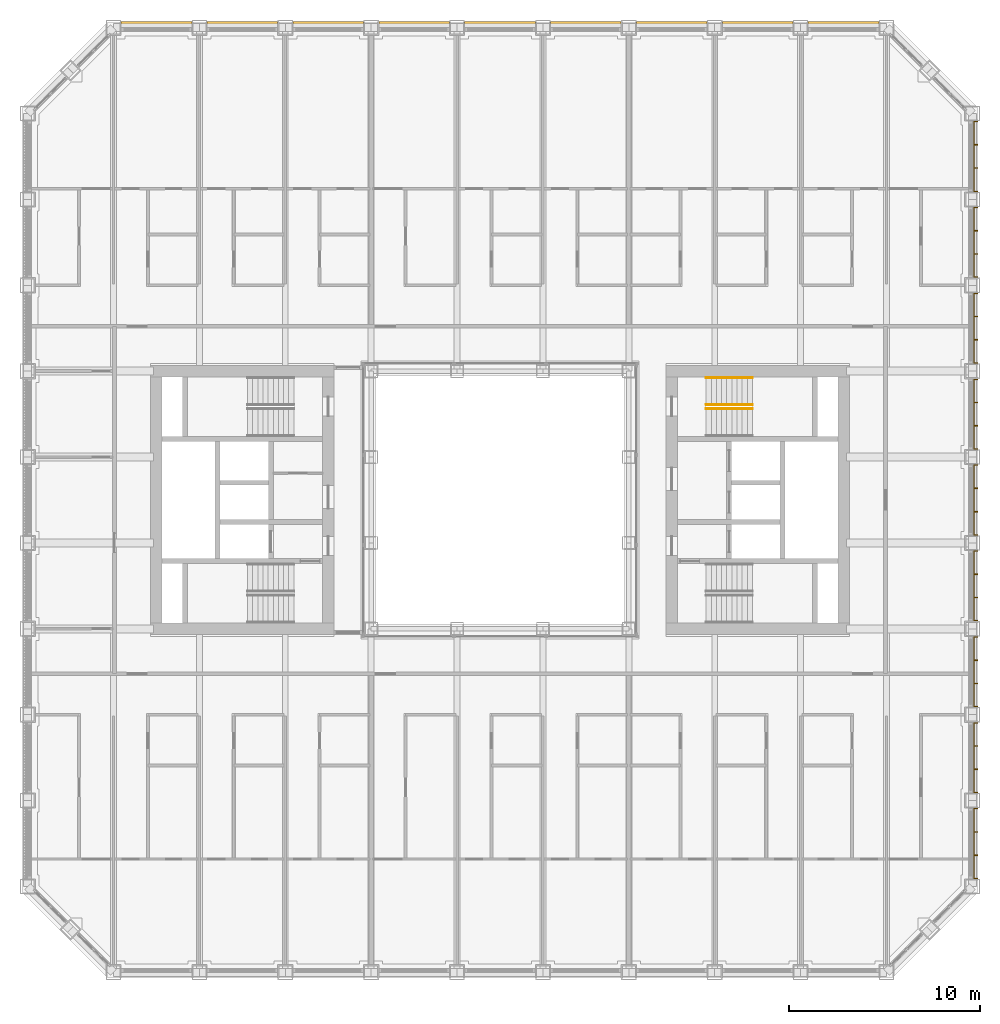
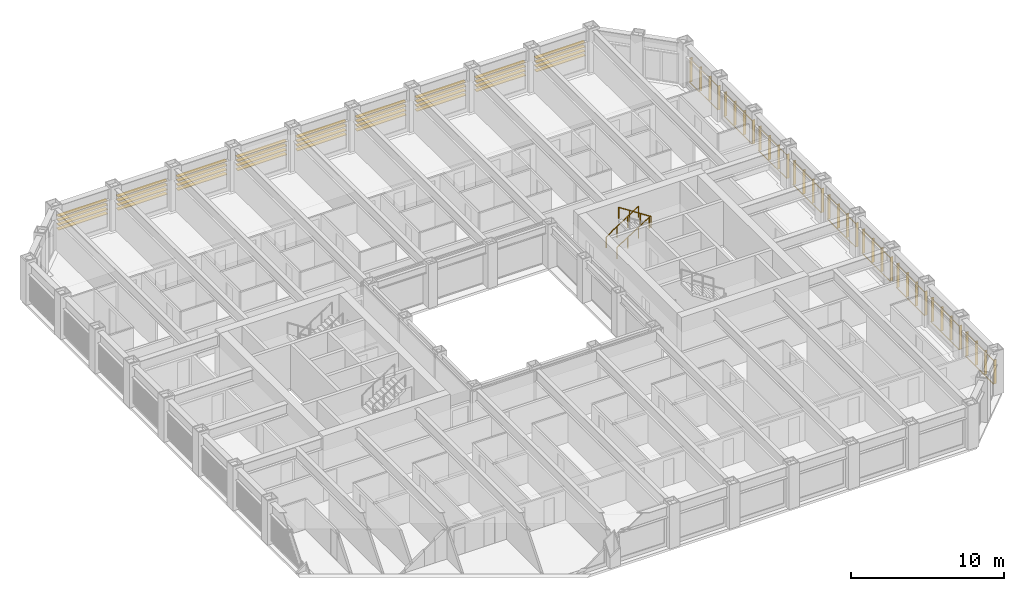
# One storey, part 21 of 21: 3 railings, 2 shading devices.
"""IFC4 building model written with IfcOpenShell, lengths in metres."""

from ifc_helpers import new_model, si_unit, direction, frame, origin, origin_2d, place, context, subcontext, project, spatial, rectangle, circle, extrude, material, type_object, element, save


model = new_model("IFC4")

# Units and contexts
model_context = context("Model", 3, precision=1e-05, world=origin(), true_north=direction((0.0, 1.0)))
body_context = subcontext(model_context, "Body", "Model", "MODEL_VIEW")
ifc_project = project(units=[si_unit("LENGTHUNIT", "METRE"), si_unit("AREAUNIT", "SQUARE_METRE"), si_unit("VOLUMEUNIT", "CUBIC_METRE"), si_unit("PLANEANGLEUNIT", "RADIAN"), si_unit("MASSUNIT", "GRAM", prefix="KILO")], contexts=[model_context])

# Site, building, storey
site_placement = place(None, origin())
site = spatial("IfcSite", under=ifc_project, at=site_placement, CompositionType="ELEMENT")
building_placement = place(site_placement, origin())
building = spatial("IfcBuilding", under=site, at=building_placement, Name="Msasa Ring Tower", CompositionType="ELEMENT")
storey_placement = place(building_placement, frame((0.0, 0.0, 96.5)))
storey = spatial("IfcBuildingStorey", under=building, at=storey_placement, Name="L25", CompositionType="ELEMENT", Elevation=96.5)

# Shading device
ifc_material_1 = material(Name="Extruded terracotta on aluminium carriers", Category="masonry")
shading_device_type_1 = type_object("IfcShadingDeviceType", Name="BS2 TERRACOTTA FIN SCREEN 40x200 AT 1350", PredefinedType="USERDEFINED", material=ifc_material_1)
shading_device_1_placement = place(storey_placement, origin())
element("IfcShadingDevice", 1, at=shading_device_1_placement, inside=storey, type_object=shading_device_type_1, Name="Terracotta fin screen E L25", ObjectType="BAGUETTE", PredefinedType="USERDEFINED", context=body_context, shape_type="SweptSolid", body=[
    extrude(rectangle(XDim=0.06005859375, YDim=0.0400390625, at=origin_2d()), frame((24.830078125, -19.85009765625, 0.330078125), z_axis=(0.0, 1.0, 0.0), x_axis=(0.0, 0.0, 1.0)), (0.0, 0.0, 1.0), 3.699951171875),
    extrude(rectangle(XDim=0.06005859375, YDim=0.0400390625, at=origin_2d()), frame((24.830078125, -19.85009765625, 2.198974609375), z_axis=(0.0, 1.0, 0.0), x_axis=(0.0, 0.0, 1.0)), (0.0, 0.0, 1.0), 3.699951171875),
    extrude(rectangle(XDim=0.0400390625, YDim=0.199951171875, at=origin_2d()), frame((24.945068359375, -19.830078125, 0.300048828125), z_axis=(0.0, 0.0, 1.0), x_axis=(0.0, 1.0, 0.0)), (0.0, 0.0, 1.0), 1.928955078125),
    extrude(rectangle(XDim=0.0400390625, YDim=0.199951171875, at=origin_2d()), frame((24.945068359375, -18.610107421875, 0.300048828125), z_axis=(0.0, 0.0, 1.0), x_axis=(0.0, 1.0, 0.0)), (0.0, 0.0, 1.0), 1.928955078125),
    extrude(rectangle(XDim=0.0400390625, YDim=0.199951171875, at=origin_2d()), frame((24.945068359375, -17.389892578125, 0.300048828125), z_axis=(0.0, 0.0, 1.0), x_axis=(0.0, 1.0, 0.0)), (0.0, 0.0, 1.0), 1.928955078125),
    extrude(rectangle(XDim=0.0400390625, YDim=0.199951171875, at=origin_2d()), frame((24.945068359375, -16.169921875, 0.300048828125), z_axis=(0.0, 0.0, 1.0), x_axis=(0.0, 1.0, 0.0)), (0.0, 0.0, 1.0), 1.928955078125),
    extrude(rectangle(XDim=0.06005859375, YDim=0.0400390625, at=origin_2d()), frame((24.830078125, -15.35009765625, 0.330078125), z_axis=(0.0, 1.0, 0.0), x_axis=(0.0, 0.0, 1.0)), (0.0, 0.0, 1.0), 3.699951171875),
    extrude(rectangle(XDim=0.06005859375, YDim=0.0400390625, at=origin_2d()), frame((24.830078125, -15.35009765625, 2.198974609375), z_axis=(0.0, 1.0, 0.0), x_axis=(0.0, 0.0, 1.0)), (0.0, 0.0, 1.0), 3.699951171875),
    extrude(rectangle(XDim=0.0400390625, YDim=0.199951171875, at=origin_2d()), frame((24.945068359375, -15.330078125, 0.300048828125), z_axis=(0.0, 0.0, 1.0), x_axis=(0.0, 1.0, 0.0)), (0.0, 0.0, 1.0), 1.928955078125),
    extrude(rectangle(XDim=0.0400390625, YDim=0.199951171875, at=origin_2d()), frame((24.945068359375, -14.110107421875, 0.300048828125), z_axis=(0.0, 0.0, 1.0), x_axis=(0.0, 1.0, 0.0)), (0.0, 0.0, 1.0), 1.928955078125),
    extrude(rectangle(XDim=0.0400390625, YDim=0.199951171875, at=origin_2d()), frame((24.945068359375, -12.889892578125, 0.300048828125), z_axis=(0.0, 0.0, 1.0), x_axis=(0.0, 1.0, 0.0)), (0.0, 0.0, 1.0), 1.928955078125),
    extrude(rectangle(XDim=0.0400390625, YDim=0.199951171875, at=origin_2d()), frame((24.945068359375, -11.669921875, 0.300048828125), z_axis=(0.0, 0.0, 1.0), x_axis=(0.0, 1.0, 0.0)), (0.0, 0.0, 1.0), 1.928955078125),
    extrude(rectangle(XDim=0.06005859375, YDim=0.0400390625, at=origin_2d()), frame((24.830078125, -10.85009765625, 0.330078125), z_axis=(0.0, 1.0, 0.0), x_axis=(0.0, 0.0, 1.0)), (0.0, 0.0, 1.0), 3.699951171875),
    extrude(rectangle(XDim=0.06005859375, YDim=0.0400390625, at=origin_2d()), frame((24.830078125, -10.85009765625, 2.198974609375), z_axis=(0.0, 1.0, 0.0), x_axis=(0.0, 0.0, 1.0)), (0.0, 0.0, 1.0), 3.699951171875),
    extrude(rectangle(XDim=0.0400390625, YDim=0.199951171875, at=origin_2d()), frame((24.945068359375, -10.830078125, 0.300048828125), z_axis=(0.0, 0.0, 1.0), x_axis=(0.0, 1.0, 0.0)), (0.0, 0.0, 1.0), 1.928955078125),
    extrude(rectangle(XDim=0.0400390625, YDim=0.199951171875, at=origin_2d()), frame((24.945068359375, -9.610107421875, 0.300048828125), z_axis=(0.0, 0.0, 1.0), x_axis=(0.0, 1.0, 0.0)), (0.0, 0.0, 1.0), 1.928955078125),
    extrude(rectangle(XDim=0.0400390625, YDim=0.199951171875, at=origin_2d()), frame((24.945068359375, -8.389892578125, 0.300048828125), z_axis=(0.0, 0.0, 1.0), x_axis=(0.0, 1.0, 0.0)), (0.0, 0.0, 1.0), 1.928955078125),
    extrude(rectangle(XDim=0.0400390625, YDim=0.199951171875, at=origin_2d()), frame((24.945068359375, -7.169921875, 0.300048828125), z_axis=(0.0, 0.0, 1.0), x_axis=(0.0, 1.0, 0.0)), (0.0, 0.0, 1.0), 1.928955078125),
    extrude(rectangle(XDim=0.06005859375, YDim=0.0400390625, at=origin_2d()), frame((24.830078125, -6.35009765625, 0.330078125), z_axis=(0.0, 1.0, 0.0), x_axis=(0.0, 0.0, 1.0)), (0.0, 0.0, 1.0), 3.699951171875),
    extrude(rectangle(XDim=0.06005859375, YDim=0.0400390625, at=origin_2d()), frame((24.830078125, -6.35009765625, 2.198974609375), z_axis=(0.0, 1.0, 0.0), x_axis=(0.0, 0.0, 1.0)), (0.0, 0.0, 1.0), 3.699951171875),
    extrude(rectangle(XDim=0.0400390625, YDim=0.199951171875, at=origin_2d()), frame((24.945068359375, -6.330078125, 0.300048828125), z_axis=(0.0, 0.0, 1.0), x_axis=(0.0, 1.0, 0.0)), (0.0, 0.0, 1.0), 1.928955078125),
    extrude(rectangle(XDim=0.0400390625, YDim=0.199951171875, at=origin_2d()), frame((24.945068359375, -5.110107421875, 0.300048828125), z_axis=(0.0, 0.0, 1.0), x_axis=(0.0, 1.0, 0.0)), (0.0, 0.0, 1.0), 1.928955078125),
    extrude(rectangle(XDim=0.0400390625, YDim=0.199951171875, at=origin_2d()), frame((24.945068359375, -3.889892578125, 0.300048828125), z_axis=(0.0, 0.0, 1.0), x_axis=(0.0, 1.0, 0.0)), (0.0, 0.0, 1.0), 1.928955078125),
    extrude(rectangle(XDim=0.0400390625, YDim=0.199951171875, at=origin_2d()), frame((24.945068359375, -2.669921875, 0.300048828125), z_axis=(0.0, 0.0, 1.0), x_axis=(0.0, 1.0, 0.0)), (0.0, 0.0, 1.0), 1.928955078125),
    extrude(rectangle(XDim=0.06005859375, YDim=0.0400390625, at=origin_2d()), frame((24.830078125, -1.85009765625, 0.330078125), z_axis=(0.0, 1.0, 0.0), x_axis=(0.0, 0.0, 1.0)), (0.0, 0.0, 1.0), 3.699951171875),
    extrude(rectangle(XDim=0.06005859375, YDim=0.0400390625, at=origin_2d()), frame((24.830078125, -1.85009765625, 2.198974609375), z_axis=(0.0, 1.0, 0.0), x_axis=(0.0, 0.0, 1.0)), (0.0, 0.0, 1.0), 3.699951171875),
    extrude(rectangle(XDim=0.0400390625, YDim=0.199951171875, at=origin_2d()), frame((24.945068359375, -1.830078125, 0.300048828125), z_axis=(0.0, 0.0, 1.0), x_axis=(0.0, 1.0, 0.0)), (0.0, 0.0, 1.0), 1.928955078125),
    extrude(rectangle(XDim=0.0400390625, YDim=0.199951171875, at=origin_2d()), frame((24.945068359375, -0.610107421875, 0.300048828125), z_axis=(0.0, 0.0, 1.0), x_axis=(0.0, 1.0, 0.0)), (0.0, 0.0, 1.0), 1.928955078125),
    extrude(rectangle(XDim=0.0400390625, YDim=0.199951171875, at=origin_2d()), frame((24.945068359375, 0.610107421875, 0.300048828125), z_axis=(0.0, 0.0, 1.0), x_axis=(0.0, 1.0, 0.0)), (0.0, 0.0, 1.0), 1.928955078125),
    extrude(rectangle(XDim=0.0400390625, YDim=0.199951171875, at=origin_2d()), frame((24.945068359375, 1.830078125, 0.300048828125), z_axis=(0.0, 0.0, 1.0), x_axis=(0.0, 1.0, 0.0)), (0.0, 0.0, 1.0), 1.928955078125),
    extrude(rectangle(XDim=0.06005859375, YDim=0.0400390625, at=origin_2d()), frame((24.830078125, 2.64990234375, 0.330078125), z_axis=(0.0, 1.0, 0.0), x_axis=(0.0, 0.0, 1.0)), (0.0, 0.0, 1.0), 3.699951171875),
    extrude(rectangle(XDim=0.06005859375, YDim=0.0400390625, at=origin_2d()), frame((24.830078125, 2.64990234375, 2.198974609375), z_axis=(0.0, 1.0, 0.0), x_axis=(0.0, 0.0, 1.0)), (0.0, 0.0, 1.0), 3.699951171875),
    extrude(rectangle(XDim=0.0400390625, YDim=0.199951171875, at=origin_2d()), frame((24.945068359375, 2.669921875, 0.300048828125), z_axis=(0.0, 0.0, 1.0), x_axis=(0.0, 1.0, 0.0)), (0.0, 0.0, 1.0), 1.928955078125),
    extrude(rectangle(XDim=0.0400390625, YDim=0.199951171875, at=origin_2d()), frame((24.945068359375, 3.889892578125, 0.300048828125), z_axis=(0.0, 0.0, 1.0), x_axis=(0.0, 1.0, 0.0)), (0.0, 0.0, 1.0), 1.928955078125),
    extrude(rectangle(XDim=0.0400390625, YDim=0.199951171875, at=origin_2d()), frame((24.945068359375, 5.110107421875, 0.300048828125), z_axis=(0.0, 0.0, 1.0), x_axis=(0.0, 1.0, 0.0)), (0.0, 0.0, 1.0), 1.928955078125),
    extrude(rectangle(XDim=0.0400390625, YDim=0.199951171875, at=origin_2d()), frame((24.945068359375, 6.330078125, 0.300048828125), z_axis=(0.0, 0.0, 1.0), x_axis=(0.0, 1.0, 0.0)), (0.0, 0.0, 1.0), 1.928955078125),
    extrude(rectangle(XDim=0.06005859375, YDim=0.0400390625, at=origin_2d()), frame((24.830078125, 7.14990234375, 0.330078125), z_axis=(0.0, 1.0, 0.0), x_axis=(0.0, 0.0, 1.0)), (0.0, 0.0, 1.0), 3.699951171875),
    extrude(rectangle(XDim=0.06005859375, YDim=0.0400390625, at=origin_2d()), frame((24.830078125, 7.14990234375, 2.198974609375), z_axis=(0.0, 1.0, 0.0), x_axis=(0.0, 0.0, 1.0)), (0.0, 0.0, 1.0), 3.699951171875),
    extrude(rectangle(XDim=0.0400390625, YDim=0.199951171875, at=origin_2d()), frame((24.945068359375, 7.169921875, 0.300048828125), z_axis=(0.0, 0.0, 1.0), x_axis=(0.0, 1.0, 0.0)), (0.0, 0.0, 1.0), 1.928955078125),
    extrude(rectangle(XDim=0.0400390625, YDim=0.199951171875, at=origin_2d()), frame((24.945068359375, 8.389892578125, 0.300048828125), z_axis=(0.0, 0.0, 1.0), x_axis=(0.0, 1.0, 0.0)), (0.0, 0.0, 1.0), 1.928955078125),
    extrude(rectangle(XDim=0.0400390625, YDim=0.199951171875, at=origin_2d()), frame((24.945068359375, 9.610107421875, 0.300048828125), z_axis=(0.0, 0.0, 1.0), x_axis=(0.0, 1.0, 0.0)), (0.0, 0.0, 1.0), 1.928955078125),
    extrude(rectangle(XDim=0.0400390625, YDim=0.199951171875, at=origin_2d()), frame((24.945068359375, 10.830078125, 0.300048828125), z_axis=(0.0, 0.0, 1.0), x_axis=(0.0, 1.0, 0.0)), (0.0, 0.0, 1.0), 1.928955078125),
    extrude(rectangle(XDim=0.06005859375, YDim=0.0400390625, at=origin_2d()), frame((24.830078125, 11.64990234375, 0.330078125), z_axis=(0.0, 1.0, 0.0), x_axis=(0.0, 0.0, 1.0)), (0.0, 0.0, 1.0), 3.699951171875),
    extrude(rectangle(XDim=0.06005859375, YDim=0.0400390625, at=origin_2d()), frame((24.830078125, 11.64990234375, 2.198974609375), z_axis=(0.0, 1.0, 0.0), x_axis=(0.0, 0.0, 1.0)), (0.0, 0.0, 1.0), 3.699951171875),
    extrude(rectangle(XDim=0.0400390625, YDim=0.199951171875, at=origin_2d()), frame((24.945068359375, 11.669921875, 0.300048828125), z_axis=(0.0, 0.0, 1.0), x_axis=(0.0, 1.0, 0.0)), (0.0, 0.0, 1.0), 1.928955078125),
    extrude(rectangle(XDim=0.0400390625, YDim=0.199951171875, at=origin_2d()), frame((24.945068359375, 12.889892578125, 0.300048828125), z_axis=(0.0, 0.0, 1.0), x_axis=(0.0, 1.0, 0.0)), (0.0, 0.0, 1.0), 1.928955078125),
    extrude(rectangle(XDim=0.0400390625, YDim=0.199951171875, at=origin_2d()), frame((24.945068359375, 14.110107421875, 0.300048828125), z_axis=(0.0, 0.0, 1.0), x_axis=(0.0, 1.0, 0.0)), (0.0, 0.0, 1.0), 1.928955078125),
    extrude(rectangle(XDim=0.0400390625, YDim=0.199951171875, at=origin_2d()), frame((24.945068359375, 15.330078125, 0.300048828125), z_axis=(0.0, 0.0, 1.0), x_axis=(0.0, 1.0, 0.0)), (0.0, 0.0, 1.0), 1.928955078125),
    extrude(rectangle(XDim=0.06005859375, YDim=0.0400390625, at=origin_2d()), frame((24.830078125, 16.14990234375, 0.330078125), z_axis=(0.0, 1.0, 0.0), x_axis=(0.0, 0.0, 1.0)), (0.0, 0.0, 1.0), 3.699951171875),
    extrude(rectangle(XDim=0.06005859375, YDim=0.0400390625, at=origin_2d()), frame((24.830078125, 16.14990234375, 2.198974609375), z_axis=(0.0, 1.0, 0.0), x_axis=(0.0, 0.0, 1.0)), (0.0, 0.0, 1.0), 3.699951171875),
    extrude(rectangle(XDim=0.0400390625, YDim=0.199951171875, at=origin_2d()), frame((24.945068359375, 16.169921875, 0.300048828125), z_axis=(0.0, 0.0, 1.0), x_axis=(0.0, 1.0, 0.0)), (0.0, 0.0, 1.0), 1.928955078125),
    extrude(rectangle(XDim=0.0400390625, YDim=0.199951171875, at=origin_2d()), frame((24.945068359375, 17.389892578125, 0.300048828125), z_axis=(0.0, 0.0, 1.0), x_axis=(0.0, 1.0, 0.0)), (0.0, 0.0, 1.0), 1.928955078125),
    extrude(rectangle(XDim=0.0400390625, YDim=0.199951171875, at=origin_2d()), frame((24.945068359375, 18.610107421875, 0.300048828125), z_axis=(0.0, 0.0, 1.0), x_axis=(0.0, 1.0, 0.0)), (0.0, 0.0, 1.0), 1.928955078125),
    extrude(rectangle(XDim=0.0400390625, YDim=0.199951171875, at=origin_2d()), frame((24.945068359375, 19.830078125, 0.300048828125), z_axis=(0.0, 0.0, 1.0), x_axis=(0.0, 1.0, 0.0)), (0.0, 0.0, 1.0), 1.928955078125),
])

# Railings
ifc_material_2 = material(Name="Stainless steel", Category="steel")
railing_type = type_object("IfcRailingType", Name="HR1 HANDRAIL 900", PredefinedType="HANDRAIL", material=ifc_material_2)
for number, where, name in (
    (2, (10.800048828125, 5.0, 0.175048828125), "Handrail stair SEB L25 1"),
    (3, (10.800048828125, 6.39990234375, 0.175048828125), "Handrail stair SEB L25 2"),
):
    element("IfcRailing", number, at=place(storey_placement, frame(where)), inside=storey, type_object=railing_type, Name=name, PredefinedType="HANDRAIL", context=body_context, shape_type="SweptSolid", body=[
        extrude(circle(Radius=0.02392578125, at=origin_2d()), frame((0.0, 0.0, 0.8759765625), z_axis=(0.839153699163, 0.0, 0.543894354798), x_axis=(0.0, 1.0, 0.0)), (0.0, 0.0, 1.0), 2.895751953125),
        extrude(circle(Radius=0.02099609375, at=origin_2d()), origin(), (0.0, 0.0, 1.0), 0.851806640625),
        extrude(circle(Radius=0.02099609375, at=origin_2d()), frame((0.81005859375, 0.0, 0.52490234375)), (0.0, 0.0, 1.0), 0.851806640625),
        extrude(circle(Radius=0.02099609375, at=origin_2d()), frame((1.619873046875, 0.0, 1.050048828125)), (0.0, 0.0, 1.0), 0.851806640625),
        extrude(circle(Radius=0.02099609375, at=origin_2d()), frame((2.429931640625, 0.0, 1.574951171875)), (0.0, 0.0, 1.0), 0.851806640625),
    ])
railing_placement = place(storey_placement, frame((13.22998046875, 4.77490234375, 1.925048828125)))
element("IfcRailing", 4, at=railing_placement, inside=storey, type_object=railing_type, Name="Handrail stair SEB L25 4", PredefinedType="HANDRAIL", context=body_context, shape_type="SweptSolid", body=[
    extrude(circle(Radius=0.02392578125, at=origin_2d()), frame((0.0, 0.0, 0.8759765625), z_axis=(-0.839153699163, 0.0, 0.543894354798), x_axis=(0.0, -1.0, 0.0)), (0.0, 0.0, 1.0), 2.895751953125),
    extrude(circle(Radius=0.02099609375, at=origin_2d()), origin(), (0.0, 0.0, 1.0), 0.851806640625),
    extrude(circle(Radius=0.02099609375, at=origin_2d()), frame((-0.81005859375, 0.0, 0.52490234375)), (0.0, 0.0, 1.0), 0.851806640625),
    extrude(circle(Radius=0.02099609375, at=origin_2d()), frame((-1.619873046875, 0.0, 1.050048828125)), (0.0, 0.0, 1.0), 0.851806640625),
    extrude(circle(Radius=0.02099609375, at=origin_2d()), frame((-2.429931640625, 0.0, 1.574951171875)), (0.0, 0.0, 1.0), 0.851806640625),
])

# Shading device
ifc_material_3 = material(Name="Extruded terracotta blades", Category="masonry")
shading_device_type_2 = type_object("IfcShadingDeviceType", Name="SS1 TERRACOTTA SUNSHADE 4 BLADES 300x40 AT 350", PredefinedType="USERDEFINED", material=ifc_material_3)
shading_device_2_placement = place(storey_placement, origin())
element("IfcShadingDevice", 5, at=shading_device_2_placement, inside=storey, type_object=shading_device_type_2, Name="Terracotta sunshade N L25", ObjectType="SUNSHADE", PredefinedType="USERDEFINED", context=body_context, shape_type="SweptSolid", body=[
    extrude(rectangle(XDim=0.0400390625, YDim=0.300048828125, at=origin_2d()), frame((-19.85009765625, 24.929931640625, 2.208984375), z_axis=(1.0, 0.0, 0.0), x_axis=(0.0, 0.0, 1.0)), (0.0, 0.0, 1.0), 3.699951171875),
    extrude(rectangle(XDim=0.0400390625, YDim=0.300048828125, at=origin_2d()), frame((-19.85009765625, 24.929931640625, 1.85888671875), z_axis=(1.0, 0.0, 0.0), x_axis=(0.0, 0.0, 1.0)), (0.0, 0.0, 1.0), 3.699951171875),
    extrude(rectangle(XDim=0.0400390625, YDim=0.300048828125, at=origin_2d()), frame((-19.85009765625, 24.929931640625, 1.509033203125), z_axis=(1.0, 0.0, 0.0), x_axis=(0.0, 0.0, 1.0)), (0.0, 0.0, 1.0), 3.699951171875),
    extrude(rectangle(XDim=0.0400390625, YDim=0.300048828125, at=origin_2d()), frame((-19.85009765625, 24.929931640625, 1.158935546875), z_axis=(1.0, 0.0, 0.0), x_axis=(0.0, 0.0, 1.0)), (0.0, 0.0, 1.0), 3.699951171875),
    extrude(rectangle(XDim=0.0400390625, YDim=0.300048828125, at=origin_2d()), frame((-15.35009765625, 24.929931640625, 2.208984375), z_axis=(1.0, 0.0, 0.0), x_axis=(0.0, 0.0, 1.0)), (0.0, 0.0, 1.0), 3.699951171875),
    extrude(rectangle(XDim=0.0400390625, YDim=0.300048828125, at=origin_2d()), frame((-15.35009765625, 24.929931640625, 1.85888671875), z_axis=(1.0, 0.0, 0.0), x_axis=(0.0, 0.0, 1.0)), (0.0, 0.0, 1.0), 3.699951171875),
    extrude(rectangle(XDim=0.0400390625, YDim=0.300048828125, at=origin_2d()), frame((-15.35009765625, 24.929931640625, 1.509033203125), z_axis=(1.0, 0.0, 0.0), x_axis=(0.0, 0.0, 1.0)), (0.0, 0.0, 1.0), 3.699951171875),
    extrude(rectangle(XDim=0.0400390625, YDim=0.300048828125, at=origin_2d()), frame((-15.35009765625, 24.929931640625, 1.158935546875), z_axis=(1.0, 0.0, 0.0), x_axis=(0.0, 0.0, 1.0)), (0.0, 0.0, 1.0), 3.699951171875),
    extrude(rectangle(XDim=0.0400390625, YDim=0.300048828125, at=origin_2d()), frame((-10.85009765625, 24.929931640625, 2.208984375), z_axis=(1.0, 0.0, 0.0), x_axis=(0.0, 0.0, 1.0)), (0.0, 0.0, 1.0), 3.699951171875),
    extrude(rectangle(XDim=0.0400390625, YDim=0.300048828125, at=origin_2d()), frame((-10.85009765625, 24.929931640625, 1.85888671875), z_axis=(1.0, 0.0, 0.0), x_axis=(0.0, 0.0, 1.0)), (0.0, 0.0, 1.0), 3.699951171875),
    extrude(rectangle(XDim=0.0400390625, YDim=0.300048828125, at=origin_2d()), frame((-10.85009765625, 24.929931640625, 1.509033203125), z_axis=(1.0, 0.0, 0.0), x_axis=(0.0, 0.0, 1.0)), (0.0, 0.0, 1.0), 3.699951171875),
    extrude(rectangle(XDim=0.0400390625, YDim=0.300048828125, at=origin_2d()), frame((-10.85009765625, 24.929931640625, 1.158935546875), z_axis=(1.0, 0.0, 0.0), x_axis=(0.0, 0.0, 1.0)), (0.0, 0.0, 1.0), 3.699951171875),
    extrude(rectangle(XDim=0.0400390625, YDim=0.300048828125, at=origin_2d()), frame((-6.35009765625, 24.929931640625, 2.208984375), z_axis=(1.0, 0.0, 0.0), x_axis=(0.0, 0.0, 1.0)), (0.0, 0.0, 1.0), 3.699951171875),
    extrude(rectangle(XDim=0.0400390625, YDim=0.300048828125, at=origin_2d()), frame((-6.35009765625, 24.929931640625, 1.85888671875), z_axis=(1.0, 0.0, 0.0), x_axis=(0.0, 0.0, 1.0)), (0.0, 0.0, 1.0), 3.699951171875),
    extrude(rectangle(XDim=0.0400390625, YDim=0.300048828125, at=origin_2d()), frame((-6.35009765625, 24.929931640625, 1.509033203125), z_axis=(1.0, 0.0, 0.0), x_axis=(0.0, 0.0, 1.0)), (0.0, 0.0, 1.0), 3.699951171875),
    extrude(rectangle(XDim=0.0400390625, YDim=0.300048828125, at=origin_2d()), frame((-6.35009765625, 24.929931640625, 1.158935546875), z_axis=(1.0, 0.0, 0.0), x_axis=(0.0, 0.0, 1.0)), (0.0, 0.0, 1.0), 3.699951171875),
    extrude(rectangle(XDim=0.0400390625, YDim=0.300048828125, at=origin_2d()), frame((-1.85009765625, 24.929931640625, 2.208984375), z_axis=(1.0, 0.0, 0.0), x_axis=(0.0, 0.0, 1.0)), (0.0, 0.0, 1.0), 3.699951171875),
    extrude(rectangle(XDim=0.0400390625, YDim=0.300048828125, at=origin_2d()), frame((-1.85009765625, 24.929931640625, 1.85888671875), z_axis=(1.0, 0.0, 0.0), x_axis=(0.0, 0.0, 1.0)), (0.0, 0.0, 1.0), 3.699951171875),
    extrude(rectangle(XDim=0.0400390625, YDim=0.300048828125, at=origin_2d()), frame((-1.85009765625, 24.929931640625, 1.509033203125), z_axis=(1.0, 0.0, 0.0), x_axis=(0.0, 0.0, 1.0)), (0.0, 0.0, 1.0), 3.699951171875),
    extrude(rectangle(XDim=0.0400390625, YDim=0.300048828125, at=origin_2d()), frame((-1.85009765625, 24.929931640625, 1.158935546875), z_axis=(1.0, 0.0, 0.0), x_axis=(0.0, 0.0, 1.0)), (0.0, 0.0, 1.0), 3.699951171875),
    extrude(rectangle(XDim=0.0400390625, YDim=0.300048828125, at=origin_2d()), frame((2.64990234375, 24.929931640625, 2.208984375), z_axis=(1.0, 0.0, 0.0), x_axis=(0.0, 0.0, 1.0)), (0.0, 0.0, 1.0), 3.699951171875),
    extrude(rectangle(XDim=0.0400390625, YDim=0.300048828125, at=origin_2d()), frame((2.64990234375, 24.929931640625, 1.85888671875), z_axis=(1.0, 0.0, 0.0), x_axis=(0.0, 0.0, 1.0)), (0.0, 0.0, 1.0), 3.699951171875),
    extrude(rectangle(XDim=0.0400390625, YDim=0.300048828125, at=origin_2d()), frame((2.64990234375, 24.929931640625, 1.509033203125), z_axis=(1.0, 0.0, 0.0), x_axis=(0.0, 0.0, 1.0)), (0.0, 0.0, 1.0), 3.699951171875),
    extrude(rectangle(XDim=0.0400390625, YDim=0.300048828125, at=origin_2d()), frame((2.64990234375, 24.929931640625, 1.158935546875), z_axis=(1.0, 0.0, 0.0), x_axis=(0.0, 0.0, 1.0)), (0.0, 0.0, 1.0), 3.699951171875),
    extrude(rectangle(XDim=0.0400390625, YDim=0.300048828125, at=origin_2d()), frame((7.14990234375, 24.929931640625, 2.208984375), z_axis=(1.0, 0.0, 0.0), x_axis=(0.0, 0.0, 1.0)), (0.0, 0.0, 1.0), 3.699951171875),
    extrude(rectangle(XDim=0.0400390625, YDim=0.300048828125, at=origin_2d()), frame((7.14990234375, 24.929931640625, 1.85888671875), z_axis=(1.0, 0.0, 0.0), x_axis=(0.0, 0.0, 1.0)), (0.0, 0.0, 1.0), 3.699951171875),
    extrude(rectangle(XDim=0.0400390625, YDim=0.300048828125, at=origin_2d()), frame((7.14990234375, 24.929931640625, 1.509033203125), z_axis=(1.0, 0.0, 0.0), x_axis=(0.0, 0.0, 1.0)), (0.0, 0.0, 1.0), 3.699951171875),
    extrude(rectangle(XDim=0.0400390625, YDim=0.300048828125, at=origin_2d()), frame((7.14990234375, 24.929931640625, 1.158935546875), z_axis=(1.0, 0.0, 0.0), x_axis=(0.0, 0.0, 1.0)), (0.0, 0.0, 1.0), 3.699951171875),
    extrude(rectangle(XDim=0.0400390625, YDim=0.300048828125, at=origin_2d()), frame((11.64990234375, 24.929931640625, 2.208984375), z_axis=(1.0, 0.0, 0.0), x_axis=(0.0, 0.0, 1.0)), (0.0, 0.0, 1.0), 3.699951171875),
    extrude(rectangle(XDim=0.0400390625, YDim=0.300048828125, at=origin_2d()), frame((11.64990234375, 24.929931640625, 1.85888671875), z_axis=(1.0, 0.0, 0.0), x_axis=(0.0, 0.0, 1.0)), (0.0, 0.0, 1.0), 3.699951171875),
    extrude(rectangle(XDim=0.0400390625, YDim=0.300048828125, at=origin_2d()), frame((11.64990234375, 24.929931640625, 1.509033203125), z_axis=(1.0, 0.0, 0.0), x_axis=(0.0, 0.0, 1.0)), (0.0, 0.0, 1.0), 3.699951171875),
    extrude(rectangle(XDim=0.0400390625, YDim=0.300048828125, at=origin_2d()), frame((11.64990234375, 24.929931640625, 1.158935546875), z_axis=(1.0, 0.0, 0.0), x_axis=(0.0, 0.0, 1.0)), (0.0, 0.0, 1.0), 3.699951171875),
    extrude(rectangle(XDim=0.0400390625, YDim=0.300048828125, at=origin_2d()), frame((16.14990234375, 24.929931640625, 2.208984375), z_axis=(1.0, 0.0, 0.0), x_axis=(0.0, 0.0, 1.0)), (0.0, 0.0, 1.0), 3.699951171875),
    extrude(rectangle(XDim=0.0400390625, YDim=0.300048828125, at=origin_2d()), frame((16.14990234375, 24.929931640625, 1.85888671875), z_axis=(1.0, 0.0, 0.0), x_axis=(0.0, 0.0, 1.0)), (0.0, 0.0, 1.0), 3.699951171875),
    extrude(rectangle(XDim=0.0400390625, YDim=0.300048828125, at=origin_2d()), frame((16.14990234375, 24.929931640625, 1.509033203125), z_axis=(1.0, 0.0, 0.0), x_axis=(0.0, 0.0, 1.0)), (0.0, 0.0, 1.0), 3.699951171875),
    extrude(rectangle(XDim=0.0400390625, YDim=0.300048828125, at=origin_2d()), frame((16.14990234375, 24.929931640625, 1.158935546875), z_axis=(1.0, 0.0, 0.0), x_axis=(0.0, 0.0, 1.0)), (0.0, 0.0, 1.0), 3.699951171875),
])

save(model, "model.ifc")
